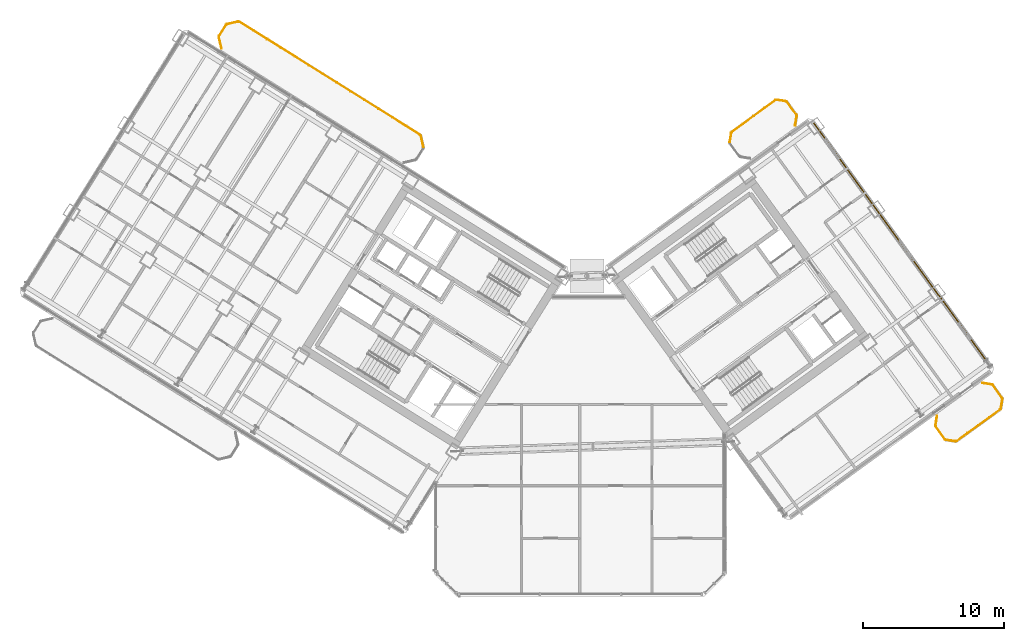
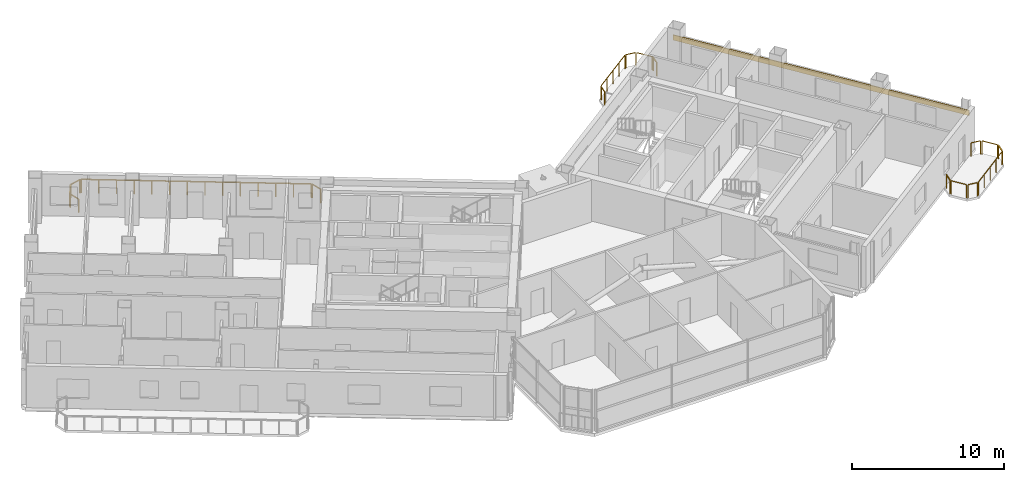
# One storey, part 29 of 29: 17 railings, 1 covering.
"""IFC4 building model written with IfcOpenShell, lengths in metres."""

from ifc_helpers import new_model, si_unit, direction, frame, origin, origin_2d, place, context, subcontext, project, spatial, rectangle, extrude, source, transform, mapped, material, layer, layer_set, type_object, element, save


model = new_model("IFC4")

# Units and contexts
model_context = context("Model", 3, precision=1e-05, world=origin(), true_north=direction((0.0, 1.0)))
body_context = subcontext(model_context, "Body", "Model", "MODEL_VIEW")
ifc_project = project(units=[si_unit("LENGTHUNIT", "METRE"), si_unit("AREAUNIT", "SQUARE_METRE"), si_unit("VOLUMEUNIT", "CUBIC_METRE"), si_unit("PLANEANGLEUNIT", "RADIAN"), si_unit("MASSUNIT", "GRAM", prefix="KILO")], contexts=[model_context])

# Site, building, storey
site_placement = place(None, origin())
site = spatial("IfcSite", under=ifc_project, at=site_placement, CompositionType="ELEMENT")
building_placement = place(site_placement, origin())
building = spatial("IfcBuilding", under=site, at=building_placement, Name="Tlacorven Tower", CompositionType="ELEMENT")
storey_placement = place(building_placement, frame((0.0, 0.0, 151.5)))
storey = spatial("IfcBuildingStorey", under=building, at=storey_placement, Name="L38", CompositionType="ELEMENT", Elevation=151.5)

# Railings
ifc_material_1 = material(Name="Aluminium and painted steel balustrade", Category="steel")
railing_type = type_object("IfcRailingType", Name="RL-BAL-1100", PredefinedType="BALUSTRADE", material=ifc_material_1)
shared_shape_1 = source(origin(), body_context, "Body", "SweptSolid", [
    extrude(rectangle(XDim=0.048095703125, YDim=0.048095703125, at=origin_2d()), frame((0.0, 0.0, 1.076171875), z_axis=(0.225058334816, -0.974345290916, 0.0), x_axis=(0.974345290916, 0.225058334816, 0.0)), (0.0, 0.0, 1.0), 0.80712890625),
    extrude(rectangle(XDim=0.0419921875, YDim=0.0419921875, at=origin_2d()), origin(), (0.0, 0.0, 1.0), 1.052001953125),
    extrude(rectangle(XDim=0.0419921875, YDim=0.0419921875, at=origin_2d()), frame((0.181640625, -0.786376953125, 0.0)), (0.0, 0.0, 1.0), 1.052001953125),
])
railing_1_placement = place(storey_placement, frame((30.6796875, 34.466064453125, 0.0)))
element("IfcRailing", 1, at=railing_1_placement, inside=storey, type_object=railing_type, Name="BAL-L38-W-IN Guard Railing 1", PredefinedType="BALUSTRADE", context=body_context, shape_type="MappedRepresentation", body=[
    mapped(shared_shape_1, transform((0.0, 0.0, 0.0), scale=1.0)),
])
shared_shape_2 = source(origin(), body_context, "Body", "SweptSolid", [
    extrude(rectangle(XDim=0.048095703125, YDim=0.048095703125, at=origin_2d()), frame((0.0, 0.0, 1.076171875), z_axis=(-0.225058334816, 0.974345290916, 0.0), x_axis=(-0.974345290916, -0.225058334816, 0.0)), (0.0, 0.0, 1.0), 0.80712890625),
    extrude(rectangle(XDim=0.0419921875, YDim=0.0419921875, at=origin_2d()), origin(), (0.0, 0.0, 1.0), 1.052001953125),
    extrude(rectangle(XDim=0.0419921875, YDim=0.0419921875, at=origin_2d()), frame((-0.181640625, 0.786376953125, 0.0)), (0.0, 0.0, 1.0), 1.052001953125),
])
railing_2_placement = place(storey_placement, frame((16.5361328125, 40.68115234375, 0.0)))
element("IfcRailing", 2, at=railing_2_placement, inside=storey, type_object=railing_type, Name="BAL-L38-W-IN Guard Railing 4", PredefinedType="BALUSTRADE", context=body_context, shape_type="MappedRepresentation", body=[
    mapped(shared_shape_2, transform((0.0, 0.0, 0.0), scale=1.0)),
])
shared_shape_3 = source(origin(), body_context, "Body", "SweptSolid", [
    extrude(rectangle(XDim=0.048095703125, YDim=0.048095703125, at=origin_2d()), frame((0.0, 0.0, 1.076171875), z_axis=(0.52987865805, 0.848073468364, 0.0), x_axis=(-0.848073468364, 0.52987865805, 0.0)), (0.0, 0.0, 1.0), 0.912353515625),
    extrude(rectangle(XDim=0.0419921875, YDim=0.0419921875, at=origin_2d()), origin(), (0.0, 0.0, 1.0), 1.052001953125),
    extrude(rectangle(XDim=0.0419921875, YDim=0.0419921875, at=origin_2d()), frame((0.4833984375, 0.773681640625, 0.0)), (0.0, 0.0, 1.0), 1.052001953125),
])
railing_3_placement = place(storey_placement, frame((16.369873046875, 41.55859375, 0.0)))
element("IfcRailing", 3, at=railing_3_placement, inside=storey, type_object=railing_type, Name="BAL-L38-W-IN Guard Railing 5", PredefinedType="BALUSTRADE", context=body_context, shape_type="MappedRepresentation", body=[
    mapped(shared_shape_3, transform((0.0, 0.0, 0.0), scale=1.0)),
])
shared_shape_4 = source(origin(), body_context, "Body", "SweptSolid", [
    extrude(rectangle(XDim=0.048095703125, YDim=0.048095703125, at=origin_2d()), frame((0.0, 0.0, 1.076171875), z_axis=(0.974411586182, 0.224771129628, 0.0), x_axis=(-0.224771129628, 0.974411586182, 0.0)), (0.0, 0.0, 1.0), 0.80712890625),
    extrude(rectangle(XDim=0.0419921875, YDim=0.0419921875, at=origin_2d()), origin(), (0.0, 0.0, 1.0), 1.052001953125),
    extrude(rectangle(XDim=0.0419921875, YDim=0.0419921875, at=origin_2d()), frame((0.786376953125, 0.181396484375, 0.0)), (0.0, 0.0, 1.0), 1.052001953125),
])
railing_4_placement = place(storey_placement, frame((16.928466796875, 42.385986328125, 0.0)))
element("IfcRailing", 4, at=railing_4_placement, inside=storey, type_object=railing_type, Name="BAL-L38-W-IN Guard Railing 6", PredefinedType="BALUSTRADE", context=body_context, shape_type="MappedRepresentation", body=[
    mapped(shared_shape_4, transform((0.0, 0.0, 0.0), scale=1.0)),
])
shared_shape_5 = source(origin(), body_context, "Body", "SweptSolid", [
    extrude(rectangle(XDim=0.048095703125, YDim=0.048095703125, at=origin_2d()), frame((0.0, 0.0, 1.076171875), z_axis=(0.848044572804, -0.529924902733, 0.0), x_axis=(0.529924902733, 0.848044572804, 0.0)), (0.0, 0.0, 1.0), 15.1171875),
    extrude(rectangle(XDim=0.0419921875, YDim=0.0419921875, at=origin_2d()), origin(), (0.0, 0.0, 1.0), 1.052001953125),
    extrude(rectangle(XDim=0.0419921875, YDim=0.0419921875, at=origin_2d()), frame((0.986083984375, -0.6162109375, 0.0)), (0.0, 0.0, 1.0), 1.052001953125),
    extrude(rectangle(XDim=0.0419921875, YDim=0.0419921875, at=origin_2d()), frame((1.972412109375, -1.232421875, 0.0)), (0.0, 0.0, 1.0), 1.052001953125),
    extrude(rectangle(XDim=0.0419921875, YDim=0.0419921875, at=origin_2d()), frame((2.95849609375, -1.8486328125, 0.0)), (0.0, 0.0, 1.0), 1.052001953125),
    extrude(rectangle(XDim=0.0419921875, YDim=0.0419921875, at=origin_2d()), frame((3.944580078125, -2.46484375, 0.0)), (0.0, 0.0, 1.0), 1.052001953125),
    extrude(rectangle(XDim=0.0419921875, YDim=0.0419921875, at=origin_2d()), frame((4.930908203125, -3.0810546875, 0.0)), (0.0, 0.0, 1.0), 1.052001953125),
    extrude(rectangle(XDim=0.0419921875, YDim=0.0419921875, at=origin_2d()), frame((5.9169921875, -3.697265625, 0.0)), (0.0, 0.0, 1.0), 1.052001953125),
    extrude(rectangle(XDim=0.0419921875, YDim=0.0419921875, at=origin_2d()), frame((6.903076171875, -4.313720703125, 0.0)), (0.0, 0.0, 1.0), 1.052001953125),
    extrude(rectangle(XDim=0.0419921875, YDim=0.0419921875, at=origin_2d()), frame((7.88916015625, -4.929931640625, 0.0)), (0.0, 0.0, 1.0), 1.052001953125),
    extrude(rectangle(XDim=0.0419921875, YDim=0.0419921875, at=origin_2d()), frame((8.87548828125, -5.546142578125, 0.0)), (0.0, 0.0, 1.0), 1.052001953125),
    extrude(rectangle(XDim=0.0419921875, YDim=0.0419921875, at=origin_2d()), frame((9.861572265625, -6.162353515625, 0.0)), (0.0, 0.0, 1.0), 1.052001953125),
    extrude(rectangle(XDim=0.0419921875, YDim=0.0419921875, at=origin_2d()), frame((10.84765625, -6.778564453125, 0.0)), (0.0, 0.0, 1.0), 1.052001953125),
    extrude(rectangle(XDim=0.0419921875, YDim=0.0419921875, at=origin_2d()), frame((11.833984375, -7.394775390625, 0.0)), (0.0, 0.0, 1.0), 1.052001953125),
    extrude(rectangle(XDim=0.0419921875, YDim=0.0419921875, at=origin_2d()), frame((12.820068359375, -8.010986328125, 0.0)), (0.0, 0.0, 1.0), 1.052001953125),
])
railing_5_placement = place(storey_placement, frame((17.805908203125, 42.55224609375, 0.0)))
element("IfcRailing", 5, at=railing_5_placement, inside=storey, type_object=railing_type, Name="BAL-L38-W-IN Guard Railing 7", PredefinedType="BALUSTRADE", context=body_context, shape_type="MappedRepresentation", body=[
    mapped(shared_shape_5, transform((0.0, 0.0, 0.0), scale=1.0)),
])
shared_shape_6 = source(origin(), body_context, "Body", "SweptSolid", [
    extrude(rectangle(XDim=0.048095703125, YDim=0.048095703125, at=origin_2d()), frame((0.0, 0.0, 1.076171875), z_axis=(-0.987661653326, 0.156602868908, 0.0), x_axis=(-0.156602868908, -0.987661653326, 0.0)), (0.0, 0.0, 1.0), 0.665771484375),
    extrude(rectangle(XDim=0.0419921875, YDim=0.0419921875, at=origin_2d()), origin(), (0.0, 0.0, 1.0), 1.052001953125),
    extrude(rectangle(XDim=0.0419921875, YDim=0.0419921875, at=origin_2d()), frame((-0.657470703125, 0.104248046875, 0.0)), (0.0, 0.0, 1.0), 1.052001953125),
])
railing_6_placement = place(storey_placement, frame((68.59521484375, 12.7919921875, 0.0)))
element("IfcRailing", 6, at=railing_6_placement, inside=storey, type_object=railing_type, Name="BAL-L38-E-OUT Guard Railing 1", PredefinedType="BALUSTRADE", context=body_context, shape_type="MappedRepresentation", body=[
    mapped(shared_shape_6, transform((0.0, 0.0, 0.0), scale=1.0)),
])
shared_shape_7 = source(origin(), body_context, "Body", "SweptSolid", [
    extrude(rectangle(XDim=0.048095703125, YDim=0.048095703125, at=origin_2d()), frame((0.0, 0.0, 1.076171875), z_axis=(-0.58788449985, 0.808944877501, 0.0), x_axis=(-0.808944877501, -0.58788449985, 0.0)), (0.0, 0.0, 1.0), 1.112060546875),
    extrude(rectangle(XDim=0.0419921875, YDim=0.0419921875, at=origin_2d()), origin(), (0.0, 0.0, 1.0), 1.052001953125),
    extrude(rectangle(XDim=0.0419921875, YDim=0.0419921875, at=origin_2d()), frame((-0.65380859375, 0.899658203125, 0.0)), (0.0, 0.0, 1.0), 1.052001953125),
])
railing_7_placement = place(storey_placement, frame((67.85888671875, 12.944580078125, 0.0)))
element("IfcRailing", 7, at=railing_7_placement, inside=storey, type_object=railing_type, Name="BAL-L38-E-OUT Guard Railing 2", PredefinedType="BALUSTRADE", context=body_context, shape_type="MappedRepresentation", body=[
    mapped(shared_shape_7, transform((0.0, 0.0, 0.0), scale=1.0)),
])
shared_shape_8 = source(origin(), body_context, "Body", "SweptSolid", [
    extrude(rectangle(XDim=0.048095703125, YDim=0.048095703125, at=origin_2d()), frame((0.0, 0.0, 1.076171875), z_axis=(0.156602868908, 0.987661653326, 0.0), x_axis=(-0.987661653326, 0.156602868908, 0.0)), (0.0, 0.0, 1.0), 0.665771484375),
    extrude(rectangle(XDim=0.0419921875, YDim=0.0419921875, at=origin_2d()), origin(), (0.0, 0.0, 1.0), 1.052001953125),
    extrude(rectangle(XDim=0.0419921875, YDim=0.0419921875, at=origin_2d()), frame((0.104248046875, 0.657470703125, 0.0)), (0.0, 0.0, 1.0), 1.052001953125),
])
railing_8_placement = place(storey_placement, frame((67.18359375, 13.93408203125, 0.0)))
element("IfcRailing", 8, at=railing_8_placement, inside=storey, type_object=railing_type, Name="BAL-L38-E-OUT Guard Railing 3", PredefinedType="BALUSTRADE", context=body_context, shape_type="MappedRepresentation", body=[
    mapped(shared_shape_8, transform((0.0, 0.0, 0.0), scale=1.0)),
])
shared_shape_9 = source(origin(), body_context, "Body", "SweptSolid", [
    extrude(rectangle(XDim=0.048095703125, YDim=0.048095703125, at=origin_2d()), frame((0.0, 0.0, 1.076171875), z_axis=(0.987718317463, -0.156245081039, 0.0), x_axis=(0.156245081039, 0.987718317463, 0.0)), (0.0, 0.0, 1.0), 0.66552734375),
    extrude(rectangle(XDim=0.0419921875, YDim=0.0419921875, at=origin_2d()), origin(), (0.0, 0.0, 1.0), 1.052001953125),
    extrude(rectangle(XDim=0.0419921875, YDim=0.0419921875, at=origin_2d()), frame((0.657470703125, -0.10400390625, 0.0)), (0.0, 0.0, 1.0), 1.052001953125),
])
railing_9_placement = place(storey_placement, frame((70.513916015625, 16.935546875, 0.0)))
element("IfcRailing", 9, at=railing_9_placement, inside=storey, type_object=railing_type, Name="BAL-L38-E-OUT Guard Railing 4", PredefinedType="BALUSTRADE", context=body_context, shape_type="MappedRepresentation", body=[
    mapped(shared_shape_9, transform((0.0, 0.0, 0.0), scale=1.0)),
])
shared_shape_10 = source(origin(), body_context, "Body", "SweptSolid", [
    extrude(rectangle(XDim=0.048095703125, YDim=0.048095703125, at=origin_2d()), frame((0.0, 0.0, 1.076171875), z_axis=(0.58788449985, -0.808944877501, 0.0), x_axis=(0.808944877501, 0.58788449985, 0.0)), (0.0, 0.0, 1.0), 1.112060546875),
    extrude(rectangle(XDim=0.0419921875, YDim=0.0419921875, at=origin_2d()), origin(), (0.0, 0.0, 1.0), 1.052001953125),
    extrude(rectangle(XDim=0.0419921875, YDim=0.0419921875, at=origin_2d()), frame((0.65380859375, -0.899658203125, 0.0)), (0.0, 0.0, 1.0), 1.052001953125),
])
for number, where, name in (
    (10, (71.250244140625, 16.783203125, 0.0), "BAL-L38-E-OUT Guard Railing 5"),
    (11, (56.658447265625, 36.866943359375, 0.0), "BAL-L38-E-IN Guard Railing 6"),
):
    element("IfcRailing", number, at=place(storey_placement, frame(where)), inside=storey, type_object=railing_type, Name=name, PredefinedType="BALUSTRADE", context=body_context, shape_type="MappedRepresentation", body=[
        mapped(shared_shape_10, transform((0.0, 0.0, 0.0), scale=1.0)),
    ])
shared_shape_11 = source(origin(), body_context, "Body", "SweptSolid", [
    extrude(rectangle(XDim=0.048095703125, YDim=0.048095703125, at=origin_2d()), frame((0.0, 0.0, 1.076171875), z_axis=(-0.156188498702, -0.987727266442, 0.0), x_axis=(0.987727266442, -0.156188498702, 0.0)), (0.0, 0.0, 1.0), 0.665771484375),
    extrude(rectangle(XDim=0.0419921875, YDim=0.0419921875, at=origin_2d()), origin(), (0.0, 0.0, 1.0), 1.052001953125),
    extrude(rectangle(XDim=0.0419921875, YDim=0.0419921875, at=origin_2d()), frame((-0.10400390625, -0.65771484375, 0.0)), (0.0, 0.0, 1.0), 1.052001953125),
])
railing_10_placement = place(storey_placement, frame((71.925537109375, 15.793701171875, 0.0)))
element("IfcRailing", 12, at=railing_10_placement, inside=storey, type_object=railing_type, Name="BAL-L38-E-OUT Guard Railing 6", PredefinedType="BALUSTRADE", context=body_context, shape_type="MappedRepresentation", body=[
    mapped(shared_shape_11, transform((0.0, 0.0, 0.0), scale=1.0)),
])
shared_shape_12 = source(origin(), body_context, "Body", "SweptSolid", [
    extrude(rectangle(XDim=0.048095703125, YDim=0.048095703125, at=origin_2d()), frame((0.0, 0.0, 1.076171875), z_axis=(-0.809018102573, -0.587783726986, 0.0), x_axis=(0.587783726986, -0.809018102573, 0.0)), (0.0, 0.0, 1.0), 3.817138671875),
    extrude(rectangle(XDim=0.0419921875, YDim=0.0419921875, at=origin_2d()), origin(), (0.0, 0.0, 1.0), 1.052001953125),
    extrude(rectangle(XDim=0.0419921875, YDim=0.0419921875, at=origin_2d()), frame((-0.77197265625, -0.56103515625, 0.0)), (0.0, 0.0, 1.0), 1.052001953125),
    extrude(rectangle(XDim=0.0419921875, YDim=0.0419921875, at=origin_2d()), frame((-1.5439453125, -1.121826171875, 0.0)), (0.0, 0.0, 1.0), 1.052001953125),
    extrude(rectangle(XDim=0.0419921875, YDim=0.0419921875, at=origin_2d()), frame((-2.316162109375, -1.6826171875, 0.0)), (0.0, 0.0, 1.0), 1.052001953125),
    extrude(rectangle(XDim=0.0419921875, YDim=0.0419921875, at=origin_2d()), frame((-3.088134765625, -2.24365234375, 0.0)), (0.0, 0.0, 1.0), 1.052001953125),
])
railing_11_placement = place(storey_placement, frame((71.773193359375, 15.057373046875, 0.0)))
element("IfcRailing", 13, at=railing_11_placement, inside=storey, type_object=railing_type, Name="BAL-L38-E-OUT Guard Railing 7", PredefinedType="BALUSTRADE", context=body_context, shape_type="MappedRepresentation", body=[
    mapped(shared_shape_12, transform((0.0, 0.0, 0.0), scale=1.0)),
])
shared_shape_13 = source(origin(), body_context, "Body", "SweptSolid", [
    extrude(rectangle(XDim=0.048095703125, YDim=0.048095703125, at=origin_2d()), frame((0.0, 0.0, 1.076171875), z_axis=(0.156546163506, 0.987670642822, 0.0), x_axis=(-0.987670642822, 0.156546163506, 0.0)), (0.0, 0.0, 1.0), 0.666015625),
    extrude(rectangle(XDim=0.0419921875, YDim=0.0419921875, at=origin_2d()), origin(), (0.0, 0.0, 1.0), 1.052001953125),
    extrude(rectangle(XDim=0.0419921875, YDim=0.0419921875, at=origin_2d()), frame((0.104248046875, 0.65771484375, 0.0)), (0.0, 0.0, 1.0), 1.052001953125),
])
railing_12_placement = place(storey_placement, frame((52.591796875, 34.017822265625, 0.0)))
element("IfcRailing", 14, at=railing_12_placement, inside=storey, type_object=railing_type, Name="BAL-L38-E-IN Guard Railing 3", PredefinedType="BALUSTRADE", context=body_context, shape_type="MappedRepresentation", body=[
    mapped(shared_shape_13, transform((0.0, 0.0, 0.0), scale=1.0)),
])
shared_shape_14 = source(origin(), body_context, "Body", "SweptSolid", [
    extrude(rectangle(XDim=0.048095703125, YDim=0.048095703125, at=origin_2d()), frame((0.0, 0.0, 1.076171875), z_axis=(0.809040198054, 0.587753313843, 0.0), x_axis=(-0.587753313843, 0.809040198054, 0.0)), (0.0, 0.0, 1.0), 3.8173828125),
    extrude(rectangle(XDim=0.0419921875, YDim=0.0419921875, at=origin_2d()), origin(), (0.0, 0.0, 1.0), 1.052001953125),
    extrude(rectangle(XDim=0.0419921875, YDim=0.0419921875, at=origin_2d()), frame((0.77197265625, 0.56103515625, 0.0)), (0.0, 0.0, 1.0), 1.052001953125),
    extrude(rectangle(XDim=0.0419921875, YDim=0.0419921875, at=origin_2d()), frame((1.544189453125, 1.121826171875, 0.0)), (0.0, 0.0, 1.0), 1.052001953125),
    extrude(rectangle(XDim=0.0419921875, YDim=0.0419921875, at=origin_2d()), frame((2.31640625, 1.6826171875, 0.0)), (0.0, 0.0, 1.0), 1.052001953125),
    extrude(rectangle(XDim=0.0419921875, YDim=0.0419921875, at=origin_2d()), frame((3.08837890625, 2.24365234375, 0.0)), (0.0, 0.0, 1.0), 1.052001953125),
])
railing_13_placement = place(storey_placement, frame((52.744140625, 34.754150390625, 0.0)))
element("IfcRailing", 15, at=railing_13_placement, inside=storey, type_object=railing_type, Name="BAL-L38-E-IN Guard Railing 4", PredefinedType="BALUSTRADE", context=body_context, shape_type="MappedRepresentation", body=[
    mapped(shared_shape_14, transform((0.0, 0.0, 0.0), scale=1.0)),
])
shared_shape_15 = source(origin(), body_context, "Body", "SweptSolid", [
    extrude(rectangle(XDim=0.048095703125, YDim=0.048095703125, at=origin_2d()), frame((0.0, 0.0, 1.076171875), z_axis=(0.987670642822, -0.156546163506, 0.0), x_axis=(0.156546163506, 0.987670642822, 0.0)), (0.0, 0.0, 1.0), 0.666015625),
    extrude(rectangle(XDim=0.0419921875, YDim=0.0419921875, at=origin_2d()), origin(), (0.0, 0.0, 1.0), 1.052001953125),
    extrude(rectangle(XDim=0.0419921875, YDim=0.0419921875, at=origin_2d()), frame((0.65771484375, -0.104248046875, 0.0)), (0.0, 0.0, 1.0), 1.052001953125),
])
railing_14_placement = place(storey_placement, frame((55.922119140625, 37.01953125, 0.0)))
element("IfcRailing", 16, at=railing_14_placement, inside=storey, type_object=railing_type, Name="BAL-L38-E-IN Guard Railing 5", PredefinedType="BALUSTRADE", context=body_context, shape_type="MappedRepresentation", body=[
    mapped(shared_shape_15, transform((0.0, 0.0, 0.0), scale=1.0)),
])
shared_shape_16 = source(origin(), body_context, "Body", "SweptSolid", [
    extrude(rectangle(XDim=0.048095703125, YDim=0.048095703125, at=origin_2d()), frame((0.0, 0.0, 1.076171875), z_axis=(-0.156245081039, -0.987718317463, 0.0), x_axis=(0.987718317463, -0.156245081039, 0.0)), (0.0, 0.0, 1.0), 0.66552734375),
    extrude(rectangle(XDim=0.0419921875, YDim=0.0419921875, at=origin_2d()), origin(), (0.0, 0.0, 1.0), 1.052001953125),
    extrude(rectangle(XDim=0.0419921875, YDim=0.0419921875, at=origin_2d()), frame((-0.10400390625, -0.657470703125, 0.0)), (0.0, 0.0, 1.0), 1.052001953125),
])
railing_15_placement = place(storey_placement, frame((57.333740234375, 35.87744140625, 0.0)))
element("IfcRailing", 17, at=railing_15_placement, inside=storey, type_object=railing_type, Name="BAL-L38-E-IN Guard Railing 7", PredefinedType="BALUSTRADE", context=body_context, shape_type="MappedRepresentation", body=[
    mapped(shared_shape_16, transform((0.0, 0.0, 0.0), scale=1.0)),
])

# Covering
ifc_material_2 = material(Name="Precast concrete C45/55", Category="concrete")
ifc_layer = layer(ifc_material_2, 0.06005859375)
ifc_layer_set = layer_set([ifc_layer], Name="Precast concrete C45/55")
covering_type = type_object("IfcCoveringType", Name="CV-CLD-TERC", PredefinedType="CLADDING", material=ifc_layer_set)
shared_shape_17 = source(origin(), body_context, "Body", "SweptSolid", [
    extrude(rectangle(XDim=21.287353515625, YDim=0.06005859375, at=origin_2d()), origin(), (0.0, 0.0, 1.0), 0.419921875),
])
covering_placement = place(storey_placement, frame((64.799072265625, 26.75146484375, 2.35498046875), z_axis=(0.0, 0.0, 1.0), x_axis=(0.587785363163, -0.809016913823, 0.0)))
element("IfcCovering", 18, at=covering_placement, inside=storey, type_object=covering_type, Name="L38 Masonry-Frame Spandrel Cladding 6", PredefinedType="CLADDING", context=body_context, shape_type="MappedRepresentation", body=[
    mapped(shared_shape_17, transform((0.0, 0.0, 0.0), scale=1.0)),
])

save(model, "model.ifc")
